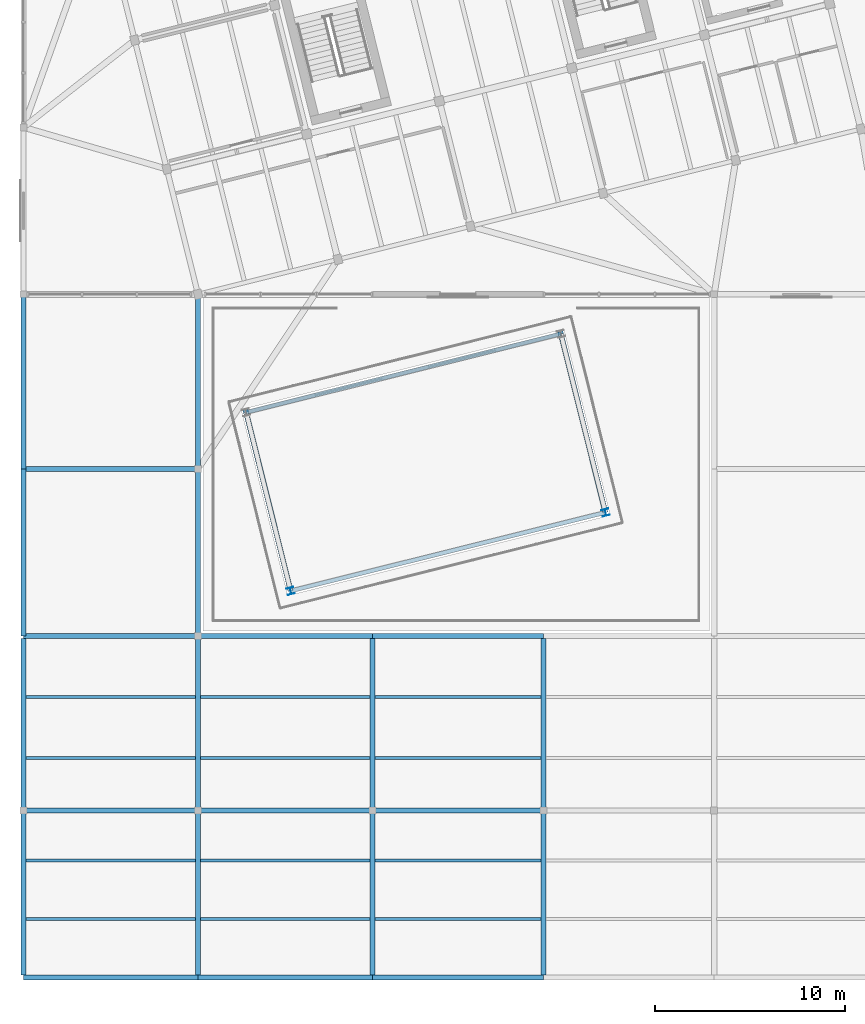
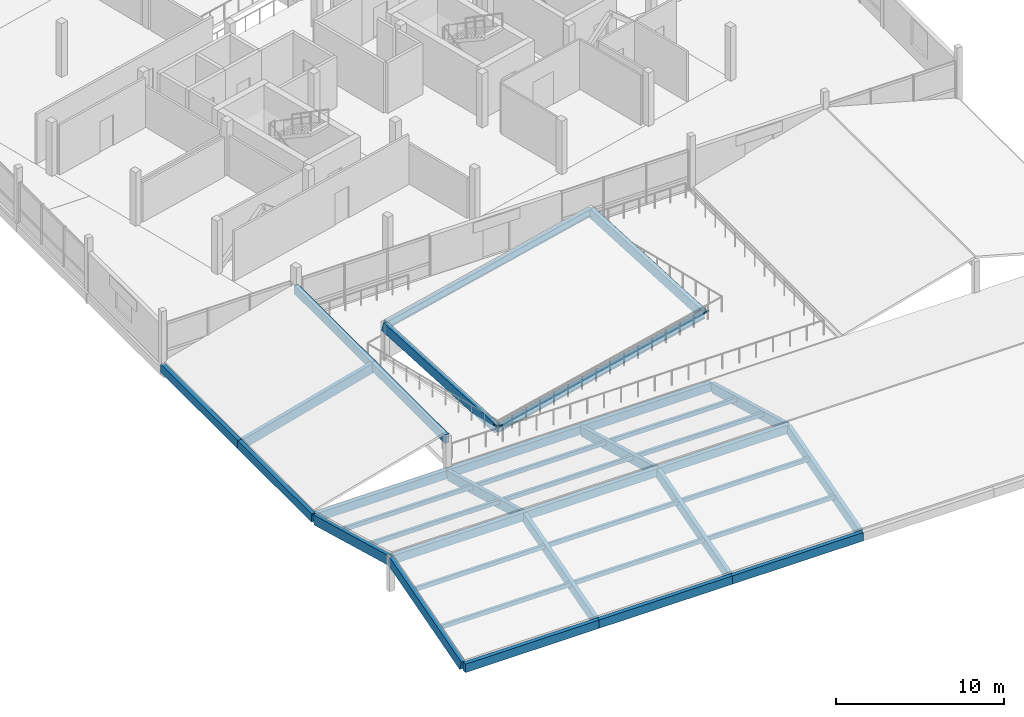
# One storey, part 5 of 39: 26 beams, 12 members, 2 columns.
"""IFC4 building model written with IfcOpenShell, lengths in metres."""

from ifc_helpers import new_model, si_unit, direction, frame, origin, origin_2d, place, context, subcontext, project, spatial, rectangle, i_section, extrude, material, material_profile, profile_set, type_object, element, save


model = new_model("IFC4")

# Units and contexts
model_context = context("Model", 3, precision=1e-05, world=origin(), true_north=direction((0.0, 1.0)))
body_context = subcontext(model_context, "Body", "Model", "MODEL_VIEW")
ifc_project = project(units=[si_unit("LENGTHUNIT", "METRE"), si_unit("AREAUNIT", "SQUARE_METRE"), si_unit("VOLUMEUNIT", "CUBIC_METRE"), si_unit("PLANEANGLEUNIT", "RADIAN"), si_unit("MASSUNIT", "GRAM", prefix="KILO")], contexts=[model_context])

# Site, building, storey
site_placement = place(None, origin())
site = spatial("IfcSite", under=ifc_project, at=site_placement, CompositionType="ELEMENT")
building_placement = place(site_placement, origin())
building = spatial("IfcBuilding", under=site, at=building_placement, Name="Meriwether Solvik Hall", CompositionType="ELEMENT")
storey_placement = place(building_placement, frame((0.0, 0.0, 22.199951171875)))
storey = spatial("IfcBuildingStorey", under=building, at=storey_placement, Name="L05", CompositionType="ELEMENT", Elevation=22.199951171875)

# Columns
ifc_material_1 = material(Name="Steel A992 Grade 50", Category="steel")
ifc_material_profile_1 = material_profile(ifc_material_1, i_section(OverallWidth=0.368896484375, OverallDepth=0.35595703125, WebThickness=0.01123046875, FlangeThickness=0.01806640625, at=origin_2d()), Name="W14X90")
ifc_profile_set_1 = profile_set([ifc_material_profile_1], Name="Steel A992 Grade 50")
column_type = type_object("IfcColumnType", Name="COL-STL-W14X90", PredefinedType="COLUMN", material=ifc_profile_set_1)
for number, where, z_axis, x_axis, name in (
    (1, (73.477294921875, 25.5654296875, 0.0), (0.0, 0.0, 1.0), (0.970295726276, 0.2419218956, 0.0), "Atrium Cleft Corner Column SW (L05)"),
    (2, (90.0693359375, 29.702392578125, 0.0), (0.0, 0.0, 1.0), (0.970295726276, 0.2419218956, 0.0), "Atrium Cleft Corner Column SE (L05)"),
):
    element("IfcColumn", number, at=place(storey_placement, frame(where, z_axis=z_axis, x_axis=x_axis)), inside=storey, type_object=column_type, Name=name, PredefinedType="COLUMN", context=body_context, shape_type="SweptSolid", body=[
        extrude(i_section(OverallWidth=0.368896484375, OverallDepth=0.35595703125, WebThickness=0.01123046875, FlangeThickness=0.01806640625, at=origin_2d()), origin(), (0.0, 0.0, 1.0), 0.080078125),
    ])

# Beams
ifc_material_2 = material(Name="Glulam Douglas-Fir 24F-V8 GL28h", Category="wood")
ifc_material_profile_2 = material_profile(ifc_material_2, rectangle(XDim=0.27294921875, YDim=0.610107421875, at=origin_2d()), Name="GLB-273X610")
ifc_profile_set_2 = profile_set([ifc_material_profile_2], Name="Glulam Douglas-Fir 24F-V8 GL28h")
beam_type_1 = type_object("IfcBeamType", Name="BM-GL-273X610", PredefinedType="SPANDREL", material=ifc_profile_set_2)
beam_1_placement = place(storey_placement, frame((59.39990234375, 5.199951171875, -0.324462890625), z_axis=(1.0, 0.0, 0.0), x_axis=(0.0, 1.0, 0.0)))
element("IfcBeam", 3, at=beam_1_placement, inside=storey, type_object=beam_type_1, Name="Roof Tie Beam A:7-8 (L05)", PredefinedType="SPANDREL", context=body_context, shape_type="SweptSolid", body=[
    extrude(rectangle(XDim=0.27294921875, YDim=0.610107421875, at=origin_2d()), origin(), (0.0, 0.0, 1.0), 9.2001953125),
])
beam_2_placement = place(storey_placement, frame((68.60009765625, 5.199951171875, -0.324462890625), z_axis=(1.0, 0.0, 0.0), x_axis=(0.0, 1.0, 0.0)))
element("IfcBeam", 4, at=beam_2_placement, inside=storey, type_object=beam_type_1, Name="Roof Tie Beam A:8-9 (L05)", PredefinedType="SPANDREL", context=body_context, shape_type="SweptSolid", body=[
    extrude(rectangle(XDim=0.27294921875, YDim=0.610107421875, at=origin_2d()), origin(), (0.0, 0.0, 1.0), 9.199951171875),
])
beam_3_placement = place(storey_placement, frame((77.800048828125, 5.199951171875, -0.324462890625), z_axis=(1.0, 0.0, 0.0), x_axis=(0.0, 1.0, 0.0)))
element("IfcBeam", 5, at=beam_3_placement, inside=storey, type_object=beam_type_1, Name="Roof Tie Beam A:9-10 (L05)", PredefinedType="SPANDREL", context=body_context, shape_type="SweptSolid", body=[
    extrude(rectangle(XDim=0.27294921875, YDim=0.610107421875, at=origin_2d()), origin(), (0.0, 0.0, 1.0), 9.0),
])
beam_4_placement = place(storey_placement, frame((59.39990234375, 14.0, 2.195556640625), z_axis=(1.0, 0.0, 0.0), x_axis=(0.0, 1.0, 0.0)))
element("IfcBeam", 6, at=beam_4_placement, inside=storey, type_object=beam_type_1, Name="Roof Tie Beam B:7-8 (L05)", PredefinedType="SPANDREL", context=body_context, shape_type="SweptSolid", body=[
    extrude(rectangle(XDim=0.27294921875, YDim=0.610107421875, at=origin_2d()), origin(), (0.0, 0.0, 1.0), 9.2001953125),
])
beam_5_placement = place(storey_placement, frame((68.60009765625, 14.0, 2.195556640625), z_axis=(1.0, 0.0, 0.0), x_axis=(0.0, 1.0, 0.0)))
element("IfcBeam", 7, at=beam_5_placement, inside=storey, type_object=beam_type_1, Name="Roof Tie Beam B:8-9 (L05)", PredefinedType="SPANDREL", context=body_context, shape_type="SweptSolid", body=[
    extrude(rectangle(XDim=0.27294921875, YDim=0.610107421875, at=origin_2d()), origin(), (0.0, 0.0, 1.0), 9.199951171875),
])
beam_6_placement = place(storey_placement, frame((77.800048828125, 14.0, 2.195556640625), z_axis=(1.0, 0.0, 0.0), x_axis=(0.0, 1.0, 0.0)))
element("IfcBeam", 8, at=beam_6_placement, inside=storey, type_object=beam_type_1, Name="Roof Tie Beam B:9-10 (L05)", PredefinedType="SPANDREL", context=body_context, shape_type="SweptSolid", body=[
    extrude(rectangle(XDim=0.27294921875, YDim=0.610107421875, at=origin_2d()), origin(), (0.0, 0.0, 1.0), 9.0),
])
beam_7_placement = place(storey_placement, frame((59.39990234375, 23.199951171875, -0.32373046875), z_axis=(1.0, 0.0, 0.0), x_axis=(0.0, 1.0, 0.0)))
element("IfcBeam", 9, at=beam_7_placement, inside=storey, type_object=beam_type_1, Name="Roof Tie Beam C:7-8 (L05)", PredefinedType="SPANDREL", context=body_context, shape_type="SweptSolid", body=[
    extrude(rectangle(XDim=0.27294921875, YDim=0.610107421875, at=origin_2d()), origin(), (0.0, 0.0, 1.0), 9.2001953125),
])
beam_8_placement = place(storey_placement, frame((68.60009765625, 23.199951171875, -0.32373046875), z_axis=(1.0, 0.0, 0.0), x_axis=(0.0, 1.0, 0.0)))
element("IfcBeam", 10, at=beam_8_placement, inside=storey, type_object=beam_type_1, Name="Roof Tie Beam C:8-9 (L05)", PredefinedType="SPANDREL", context=body_context, shape_type="SweptSolid", body=[
    extrude(rectangle(XDim=0.27294921875, YDim=0.610107421875, at=origin_2d()), origin(), (0.0, 0.0, 1.0), 9.199951171875),
])
beam_9_placement = place(storey_placement, frame((77.800048828125, 23.199951171875, -0.32373046875), z_axis=(1.0, 0.0, 0.0), x_axis=(0.0, 1.0, 0.0)))
element("IfcBeam", 11, at=beam_9_placement, inside=storey, type_object=beam_type_1, Name="Roof Tie Beam C:9-10 (L05)", PredefinedType="SPANDREL", context=body_context, shape_type="SweptSolid", body=[
    extrude(rectangle(XDim=0.27294921875, YDim=0.610107421875, at=origin_2d()), origin(), (0.0, 0.0, 1.0), 9.0),
])
beam_10_placement = place(storey_placement, frame((59.39990234375, 23.199951171875, -0.32373046875), z_axis=(0.0, 1.0, 0.0), x_axis=(-1.0, 0.0, 0.0)))
element("IfcBeam", 12, at=beam_10_placement, inside=storey, type_object=beam_type_1, Name="Roof Tie Beam 7:C-D (L05)", PredefinedType="SPANDREL", context=body_context, shape_type="SweptSolid", body=[
    extrude(rectangle(XDim=0.27294921875, YDim=0.610107421875, at=origin_2d()), origin(), (0.0, 0.0, 1.0), 8.800048828125),
])
beam_11_placement = place(storey_placement, frame((59.39990234375, 32.0, -0.32373046875), z_axis=(0.0, 1.0, 0.0), x_axis=(-1.0, 0.0, 0.0)))
element("IfcBeam", 13, at=beam_11_placement, inside=storey, type_object=beam_type_1, Name="Roof Tie Beam 7:D-E (L05)", PredefinedType="SPANDREL", context=body_context, shape_type="SweptSolid", body=[
    extrude(rectangle(XDim=0.27294921875, YDim=0.610107421875, at=origin_2d()), origin(), (0.0, 0.0, 1.0), 9.199951171875),
])
beam_12_placement = place(storey_placement, frame((68.60009765625, 23.199951171875, 2.17626953125), z_axis=(0.0, 1.0, 0.0), x_axis=(-1.0, 0.0, 0.0)))
element("IfcBeam", 14, at=beam_12_placement, inside=storey, type_object=beam_type_1, Name="Roof Tie Beam 8:C-D (L05)", PredefinedType="SPANDREL", context=body_context, shape_type="SweptSolid", body=[
    extrude(rectangle(XDim=0.27294921875, YDim=0.610107421875, at=origin_2d()), origin(), (0.0, 0.0, 1.0), 8.800048828125),
])
beam_13_placement = place(storey_placement, frame((68.60009765625, 32.0, 2.17626953125), z_axis=(0.0, 1.0, 0.0), x_axis=(-1.0, 0.0, 0.0)))
element("IfcBeam", 15, at=beam_13_placement, inside=storey, type_object=beam_type_1, Name="Roof Tie Beam 8:D-E (L05)", PredefinedType="SPANDREL", context=body_context, shape_type="SweptSolid", body=[
    extrude(rectangle(XDim=0.27294921875, YDim=0.610107421875, at=origin_2d()), origin(), (0.0, 0.0, 1.0), 9.199951171875),
])
ifc_material_3 = material(Name="Glulam Douglas-Fir 24F-V8 GL28h", Category="wood")
ifc_material_profile_3 = material_profile(ifc_material_3, rectangle(XDim=0.27294921875, YDim=0.68505859375, at=origin_2d()), Name="GLB-273X685")
ifc_profile_set_3 = profile_set([ifc_material_profile_3], Name="Glulam Douglas-Fir 24F-V8 GL28h")
beam_type_2 = type_object("IfcBeamType", Name="BM-GL-273X685", PredefinedType="BEAM", material=ifc_profile_set_3)
for number, where, z_axis, x_axis, name in (
    (16, (59.39990234375, 5.42236328125, -0.31201171875), (0.0, 0.961355835439, 0.275308840518), (-1.0, 0.0, 0.0), "Raking Glulam Roof Rafter w4a_canopy_s-7 (L05)"),
    (17, (68.60009765625, 5.42236328125, -0.31201171875), (0.0, 0.961355835439, 0.275308840518), (-1.0, 0.0, 0.0), "Raking Glulam Roof Rafter w4a_canopy_s-8 (L05)"),
    (18, (77.800048828125, 5.42236328125, -0.31201171875), (0.0, 0.961355835439, 0.275308840518), (-1.0, 0.0, 0.0), "Raking Glulam Roof Rafter w4a_canopy_s-9 (L05)"),
    (19, (86.800048828125, 5.42236328125, -0.31201171875), (0.0, 0.961355835439, 0.275308840518), (-1.0, 0.0, 0.0), "Raking Glulam Roof Rafter w4a_canopy_s-10 (L05)"),
):
    element("IfcBeam", number, at=place(storey_placement, frame(where, z_axis=z_axis, x_axis=x_axis)), inside=storey, type_object=beam_type_2, Name=name, PredefinedType="BEAM", context=body_context, shape_type="SweptSolid", body=[
        extrude(rectangle(XDim=0.27294921875, YDim=0.68505859375, at=origin_2d()), origin(), (0.0, 0.0, 1.0), 8.887451171875),
    ])
for number, where, z_axis, x_axis, name in (
    (20, (59.39990234375, 22.9814453125, -0.314208984375), (0.0, -0.964469774482, 0.264193213597), (1.0, 0.0, 0.0), "Raking Glulam Roof Rafter w4a_canopy_n-7 (L05)"),
    (21, (68.60009765625, 22.9814453125, -0.314208984375), (0.0, -0.964469774482, 0.264193213597), (1.0, 0.0, 0.0), "Raking Glulam Roof Rafter w4a_canopy_n-8 (L05)"),
    (22, (77.800048828125, 22.9814453125, -0.314208984375), (0.0, -0.964469774482, 0.264193213597), (1.0, 0.0, 0.0), "Raking Glulam Roof Rafter w4a_canopy_n-9 (L05)"),
    (23, (86.800048828125, 22.9814453125, -0.314208984375), (0.0, -0.964469774482, 0.264193213597), (1.0, 0.0, 0.0), "Raking Glulam Roof Rafter w4a_canopy_n-10 (L05)"),
):
    element("IfcBeam", number, at=place(storey_placement, frame(where, z_axis=z_axis, x_axis=x_axis)), inside=storey, type_object=beam_type_2, Name=name, PredefinedType="BEAM", context=body_context, shape_type="SweptSolid", body=[
        extrude(rectangle(XDim=0.27294921875, YDim=0.68505859375, at=origin_2d()), origin(), (0.0, 0.0, 1.0), 9.2734375),
    ])
beam_14_placement = place(storey_placement, frame((59.617919921875, 32.0, -0.314453125), z_axis=(0.965004746656, 0.0, 0.262232413959), x_axis=(0.0, 1.0, 0.0)))
element("IfcBeam", 24, at=beam_14_placement, inside=storey, type_object=beam_type_2, Name="Raking Glulam Roof Rafter w4a_west_sh-D (L05)", PredefinedType="BEAM", context=body_context, shape_type="SweptSolid", body=[
    extrude(rectangle(XDim=0.27294921875, YDim=0.68505859375, at=origin_2d()), origin(), (0.0, 0.0, 1.0), 9.268310546875),
])
for number, where, z_axis, x_axis, name in (
    (25, (73.455810546875, 25.651611328125, -0.250732421875), (-0.233677695053, 0.9372148171, 0.258888241221), (-0.970294803647, -0.241925596033, 0.0), "Atrium Skylight Raking Rafter W (L05)"),
    (26, (90.0478515625, 29.788330078125, -0.250732421875), (-0.233677695053, 0.9372148171, 0.258888241221), (-0.970294803647, -0.241925596033, 0.0), "Atrium Skylight Raking Rafter E (L05)"),
):
    element("IfcBeam", number, at=place(storey_placement, frame(where, z_axis=z_axis, x_axis=x_axis)), inside=storey, type_object=beam_type_2, Name=name, PredefinedType="BEAM", context=body_context, shape_type="SweptSolid", body=[
        extrude(rectangle(XDim=0.27294921875, YDim=0.68505859375, at=origin_2d()), origin(), (0.0, 0.0, 1.0), 10.04248046875),
    ])
ifc_material_4 = material(Name="Steel A992 Grade 50", Category="steel")
ifc_material_profile_4 = material_profile(ifc_material_4, i_section(OverallWidth=0.2099609375, OverallDepth=0.537109375, WebThickness=0.010986328125, FlangeThickness=0.017333984375, at=origin_2d()), Name="W21X68")
ifc_profile_set_4 = profile_set([ifc_material_profile_4], Name="Steel A992 Grade 50")
beam_type_3 = type_object("IfcBeamType", Name="BM-STL-W21X68", PredefinedType="SPANDREL", material=ifc_profile_set_4)
for number, where, z_axis, x_axis, name in (
    (27, (73.477294921875, 25.5654296875, -0.1884765625), (0.970294320027, 0.241927535687, 0.0), (-0.241927535687, 0.970294320027, 0.0), "Atrium Skylight Tie Girder S (L05)"),
    (28, (71.130615234375, 34.977294921875, 2.41162109375), (0.970294320027, 0.241927535687, 0.0), (-0.241927535687, 0.970294320027, 0.0), "Atrium Skylight Tie Girder N (L05)"),
):
    element("IfcBeam", number, at=place(storey_placement, frame(where, z_axis=z_axis, x_axis=x_axis)), inside=storey, type_object=beam_type_3, Name=name, PredefinedType="SPANDREL", context=body_context, shape_type="SweptSolid", body=[
        extrude(i_section(OverallWidth=0.2099609375, OverallDepth=0.537109375, WebThickness=0.010986328125, FlangeThickness=0.017333984375, at=origin_2d()), origin(), (0.0, 0.0, 1.0), 17.10009765625),
    ])

# Members
ifc_material_5 = material(Name="Glulam Douglas-Fir 24F-V8 GL28h", Category="wood")
ifc_material_profile_5 = material_profile(ifc_material_5, rectangle(XDim=0.175048828125, YDim=0.304931640625, at=origin_2d()), Name="GLM-175X305")
ifc_profile_set_5 = profile_set([ifc_material_profile_5], Name="Glulam Douglas-Fir 24F-V8 GL28h")
member_type = type_object("IfcMemberType", Name="MEM-PRL-GL175", PredefinedType="PURLIN", material=ifc_profile_set_5)
for number, where, z_axis, x_axis, name in (
    (29, (59.532470703125, 8.280029296875, 0.710205078125), (1.0, 0.0, 0.0), (0.0, 1.0, 0.0), "Sloped Roof Glulam Purlin w4a_canopy_s-1.1"),
    (30, (59.532470703125, 11.360107421875, 1.592041015625), (1.0, 0.0, 0.0), (0.0, 1.0, 0.0), "Sloped Roof Glulam Purlin w4a_canopy_s-1.2"),
    (31, (68.732421875, 8.280029296875, 0.710205078125), (1.0, 0.0, 0.0), (0.0, 1.0, 0.0), "Sloped Roof Glulam Purlin w4a_canopy_s-2.1"),
    (32, (68.732421875, 11.360107421875, 1.592041015625), (1.0, 0.0, 0.0), (0.0, 1.0, 0.0), "Sloped Roof Glulam Purlin w4a_canopy_s-2.2"),
):
    element("IfcMember", number, at=place(storey_placement, frame(where, z_axis=z_axis, x_axis=x_axis)), inside=storey, type_object=member_type, Name=name, PredefinedType="PURLIN", context=body_context, shape_type="SweptSolid", body=[
        extrude(rectangle(XDim=0.175048828125, YDim=0.304931640625, at=origin_2d()), origin(), (0.0, 0.0, 1.0), 8.93505859375),
    ])
for number, where, z_axis, x_axis, name in (
    (33, (77.9326171875, 8.280029296875, 0.710205078125), (1.0, 0.0, 0.0), (0.0, 1.0, 0.0), "Sloped Roof Glulam Purlin w4a_canopy_s-3.1"),
    (34, (77.9326171875, 11.360107421875, 1.592041015625), (1.0, 0.0, 0.0), (0.0, 1.0, 0.0), "Sloped Roof Glulam Purlin w4a_canopy_s-3.2"),
):
    element("IfcMember", number, at=place(storey_placement, frame(where, z_axis=z_axis, x_axis=x_axis)), inside=storey, type_object=member_type, Name=name, PredefinedType="PURLIN", context=body_context, shape_type="SweptSolid", body=[
        extrude(rectangle(XDim=0.175048828125, YDim=0.304931640625, at=origin_2d()), origin(), (0.0, 0.0, 1.0), 8.73486328125),
    ])
for number, where, z_axis, x_axis, name in (
    (35, (59.532470703125, 19.97998046875, 0.710693359375), (1.0, 0.0, 0.0), (0.0, 1.0, 0.0), "Sloped Roof Glulam Purlin w4a_canopy_n-1.1"),
    (36, (59.532470703125, 16.760009765625, 1.5927734375), (1.0, 0.0, 0.0), (0.0, 1.0, 0.0), "Sloped Roof Glulam Purlin w4a_canopy_n-1.2"),
    (37, (68.732421875, 19.97998046875, 0.710693359375), (1.0, 0.0, 0.0), (0.0, 1.0, 0.0), "Sloped Roof Glulam Purlin w4a_canopy_n-2.1"),
    (38, (68.732421875, 16.760009765625, 1.5927734375), (1.0, 0.0, 0.0), (0.0, 1.0, 0.0), "Sloped Roof Glulam Purlin w4a_canopy_n-2.2"),
):
    element("IfcMember", number, at=place(storey_placement, frame(where, z_axis=z_axis, x_axis=x_axis)), inside=storey, type_object=member_type, Name=name, PredefinedType="PURLIN", context=body_context, shape_type="SweptSolid", body=[
        extrude(rectangle(XDim=0.175048828125, YDim=0.304931640625, at=origin_2d()), origin(), (0.0, 0.0, 1.0), 8.93505859375),
    ])
for number, where, z_axis, x_axis, name in (
    (39, (77.9326171875, 19.97998046875, 0.710693359375), (1.0, 0.0, 0.0), (0.0, 1.0, 0.0), "Sloped Roof Glulam Purlin w4a_canopy_n-3.1"),
    (40, (77.9326171875, 16.760009765625, 1.5927734375), (1.0, 0.0, 0.0), (0.0, 1.0, 0.0), "Sloped Roof Glulam Purlin w4a_canopy_n-3.2"),
):
    element("IfcMember", number, at=place(storey_placement, frame(where, z_axis=z_axis, x_axis=x_axis)), inside=storey, type_object=member_type, Name=name, PredefinedType="PURLIN", context=body_context, shape_type="SweptSolid", body=[
        extrude(rectangle(XDim=0.175048828125, YDim=0.304931640625, at=origin_2d()), origin(), (0.0, 0.0, 1.0), 8.73486328125),
    ])

save(model, "model.ifc")
